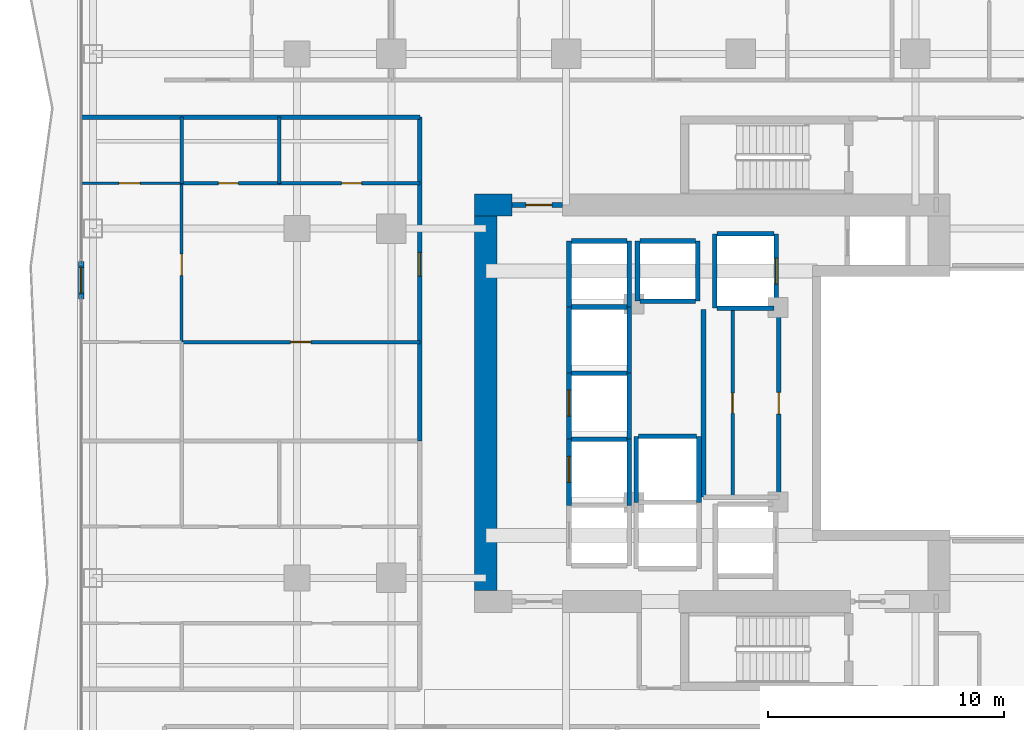
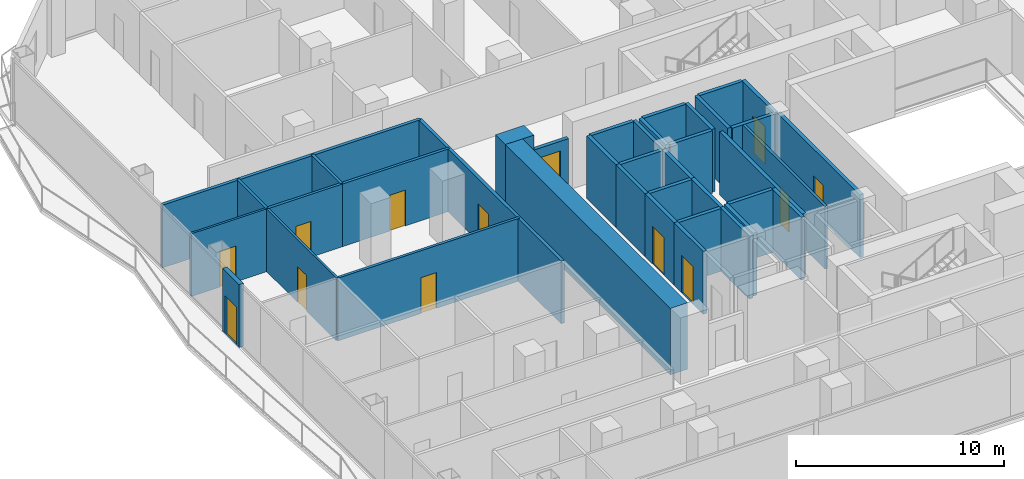
# One storey, part 20 of 27: 39 walls, 13 doors, 13 openings.
"""IFC4 building model written with IfcOpenShell, lengths in metres."""

from ifc_helpers import new_model, si_unit, direction, frame, frame_2d, origin, place, context, subcontext, project, spatial, rectangle, extrude, material, layer, layer_set, type_object, element, fill, save


model = new_model("IFC4")

# Units and contexts
model_context = context("Model", 3, precision=1e-05, world=origin(), true_north=direction((0.0, 1.0)))
body_context = subcontext(model_context, "Body", "Model", "MODEL_VIEW")
ifc_project = project(units=[si_unit("LENGTHUNIT", "METRE"), si_unit("AREAUNIT", "SQUARE_METRE"), si_unit("VOLUMEUNIT", "CUBIC_METRE"), si_unit("PLANEANGLEUNIT", "RADIAN"), si_unit("MASSUNIT", "GRAM", prefix="KILO")], contexts=[model_context])

# Site, building, storey
site_placement = place(None, origin())
site = spatial("IfcSite", under=ifc_project, at=site_placement, CompositionType="ELEMENT")
building_placement = place(site_placement, origin())
building = spatial("IfcBuilding", under=site, at=building_placement, Name="Khorvyn Point Tower", CompositionType="ELEMENT")
storey_placement = place(building_placement, frame((0.0, 0.0, 96.89990234375)))
storey = spatial("IfcBuildingStorey", under=building, at=storey_placement, Name="L24", CompositionType="ELEMENT", Elevation=96.89990234375)

# Wall, opening, door
ifc_material_1 = material(Name="Double acoustic gypsum on twin steel stud", Category="steel")
ifc_layer_1 = layer(ifc_material_1, 0.179931640625)
ifc_layer_set_1 = layer_set([ifc_layer_1], Name="Acoustic Double-Stud Apartment Demising Wall 180")
wall_type_1 = type_object("IfcWallType", Name="Acoustic Double-Stud Apartment Demising Wall 180", PredefinedType="PARTITIONING", material=ifc_layer_set_1)
wall_1_placement = place(storey_placement, frame((-13.60009765625, -1.60009765625, 0.0), z_axis=(0.0, 0.0, 1.0), x_axis=(0.0, 1.0, 0.0)))
wall_1 = element("IfcWall", 1, at=wall_1_placement, inside=storey, type_object=wall_type_1, Name="Wall", PredefinedType="PARTITIONING", context=body_context, shape_type="SweptSolid", body=[
    extrude(rectangle(XDim=13.72021484375, YDim=0.179931640625, at=frame_2d((6.860107421875, 0.0))), origin(), (0.0, 0.0, 1.0), 3.68017578125),
])
opening_1_placement = place(wall_1_placement, frame((6.989013671875, 0.0, 0.0)))
opening_1 = element("IfcOpeningElement", 2, at=opening_1_placement, cuts=wall_1, Name="Opening ID-AP60", PredefinedType="OPENING", context=body_context, shape_type="SweptSolid", body=[
    extrude(rectangle(XDim=1.0, YDim=2.199951171875, at=frame_2d((0.5, 1.10009765625))), frame((0.0, 0.099853515625, 0.0), z_axis=(0.0, -1.0, 0.0), x_axis=(1.0, 0.0, 0.0)), (0.0, 0.0, 1.0), 0.199951171875),
])
ifc_material_2 = material(Name="Engineered hardwood fire-rated leaf", Category="wood")
door_type_1 = type_object("IfcDoorType", Name="Acoustic Solid-Core Timber Apartment Entrance Door 1000x2200", OperationType="NOTDEFINED", PredefinedType="DOOR", material=ifc_material_2)
door_1_placement = place(opening_1_placement, origin())
door_1 = element("IfcDoor", 3, at=door_1_placement, inside=storey, type_object=door_type_1, Name="Door", OperationType="SINGLE_SWING_RIGHT", OverallHeight=2.199951171875, OverallWidth=1.0, PredefinedType="DOOR", context=body_context, shape_type="SweptSolid", body=[
    extrude(rectangle(XDim=1.0, YDim=2.199951171875, at=frame_2d((0.5, 1.10009765625))), frame((0.0, 0.02490234375, 0.0), z_axis=(0.0, -1.0, 0.0), x_axis=(1.0, 0.0, 0.0)), (0.0, 0.0, 1.0), 0.050048828125),
])
fill(opening_1, door_1)

# Wall
wall_2_placement = place(storey_placement, frame((-27.929931640625, 12.1201171875, 0.0), z_axis=(0.0, 0.0, 1.0), x_axis=(1.0, 0.0, 0.0)))
element("IfcWall", 4, at=wall_2_placement, inside=storey, type_object=wall_type_1, Name="Wall", PredefinedType="PARTITIONING", context=body_context, shape_type="SweptSolid", body=[
    extrude(rectangle(XDim=14.329833984375, YDim=0.179931640625, at=frame_2d((7.1650390625, 0.0))), origin(), (0.0, 0.0, 1.0), 3.68017578125),
])

# Wall, opening, door
ifc_material_3 = material(Name="Pale anodised aluminium rainscreen on steel stud", Category="steel")
ifc_layer_2 = layer(ifc_material_3, 0.239990234375)
ifc_layer_set_2 = layer_set([ifc_layer_2], Name="Anodised Aluminium Insulated Corner Spandrel Wall 240")
wall_type_2 = type_object("IfcWallType", Name="Anodised Aluminium Insulated Corner Spandrel Wall 240", PredefinedType="SOLIDWALL", material=ifc_layer_set_2)
wall_3_placement = place(storey_placement, frame((-27.949951171875, 4.419921875, 0.0), z_axis=(0.0, 0.0, 1.0), x_axis=(0.0, 1.0, 0.0)))
wall_3 = element("IfcWall", 5, at=wall_3_placement, inside=storey, type_object=wall_type_2, Name="L24 West Outdoor Threshold Wall", PredefinedType="SOLIDWALL", context=body_context, shape_type="SweptSolid", body=[
    extrude(rectangle(XDim=1.580078125, YDim=0.239990234375, at=frame_2d((0.7900390625, 0.0))), origin(), (0.0, 0.0, 1.0), 3.68017578125),
])
opening_2_placement = place(wall_3_placement, frame((0.239990234375, 0.0, 0.0)))
opening_2 = element("IfcOpeningElement", 6, at=opening_2_placement, cuts=wall_3, Name="Opening BD-1122", PredefinedType="OPENING", context=body_context, shape_type="SweptSolid", body=[
    extrude(rectangle(XDim=1.10009765625, YDim=2.199951171875, at=frame_2d((0.550048828125, 1.10009765625))), frame((0.0, 0.1298828125, 0.0), z_axis=(0.0, -1.0, 0.0), x_axis=(1.0, 0.0, 0.0)), (0.0, 0.0, 1.0), 0.260009765625),
])
ifc_material_4 = material(Name="Anodised aluminium 6063-T6 and laminated Low-E glass", Category="aluminium")
door_type_2 = type_object("IfcDoorType", Name="Glazed Balcony and Terrace Threshold Door 1100x2200", OperationType="NOTDEFINED", PredefinedType="DOOR", material=ifc_material_4)
door_2_placement = place(opening_2_placement, origin())
door_2 = element("IfcDoor", 7, at=door_2_placement, inside=storey, type_object=door_type_2, Name="L24 West Glazed Balcony Outdoor Door", OperationType="SINGLE_SWING_LEFT", OverallHeight=2.199951171875, OverallWidth=1.10009765625, PredefinedType="DOOR", context=body_context, shape_type="SweptSolid", body=[
    extrude(rectangle(XDim=1.10009765625, YDim=2.199951171875, at=frame_2d((0.550048828125, 1.10009765625))), frame((0.0, 0.02490234375, 0.0), z_axis=(0.0, -1.0, 0.0), x_axis=(1.0, 0.0, 0.0)), (0.0, 0.0, 1.0), 0.050048828125),
])
fill(opening_2, door_2)

ifc_material_5 = material(Name="Concrete C40/50", Category="concrete")
ifc_layer_3 = layer(ifc_material_5, 0.199951171875)
ifc_layer_set_3 = layer_set([ifc_layer_3], Name="Concrete C40/50 Fire-Lobby Compartment Wall 200")
wall_type_3 = type_object("IfcWallType", Name="Concrete C40/50 Fire-Lobby Compartment Wall 200", PredefinedType="SOLIDWALL", material=ifc_layer_set_3)
wall_4_placement = place(storey_placement, frame((-9.699951171875, 8.39990234375, 0.0), z_axis=(0.0, 0.0, 1.0), x_axis=(1.0, 0.0, 0.0)))
wall_4 = element("IfcWall", 8, at=wall_4_placement, inside=storey, type_object=wall_type_3, Name="Wall", PredefinedType="SOLIDWALL", context=body_context, shape_type="SweptSolid", body=[
    extrude(rectangle(XDim=2.14990234375, YDim=0.199951171875, at=frame_2d((1.074951171875, 0.0))), origin(), (0.0, 0.0, 1.0), 2.72021484375),
])
opening_3_placement = place(wall_4_placement, frame((0.597900390625, 0.0, 0.0)))
opening_3 = element("IfcOpeningElement", 9, at=opening_3_placement, cuts=wall_4, Name="Opening ID-FL90", PredefinedType="OPENING", context=body_context, shape_type="SweptSolid", body=[
    extrude(rectangle(XDim=1.10009765625, YDim=2.14990234375, at=frame_2d((0.550048828125, 1.074951171875))), frame((0.0, 0.10986328125, 0.0), z_axis=(0.0, -1.0, 0.0), x_axis=(1.0, 0.0, 0.0)), (0.0, 0.0, 1.0), 0.219970703125),
])
ifc_material_6 = material(Name="Galvanised powder-coated steel", Category="steel")
door_type_3 = type_object("IfcDoorType", Name="Fire-Rated Steel Lobby and Stair Door 1100x2150", OperationType="NOTDEFINED", PredefinedType="DOOR", material=ifc_material_6)
door_3_placement = place(opening_3_placement, origin())
door_3 = element("IfcDoor", 10, at=door_3_placement, inside=storey, type_object=door_type_3, Name="Door", OperationType="SINGLE_SWING_RIGHT", OverallHeight=2.14990234375, OverallWidth=1.10009765625, PredefinedType="DOOR", context=body_context, shape_type="SweptSolid", body=[
    extrude(rectangle(XDim=1.10009765625, YDim=2.14990234375, at=frame_2d((0.550048828125, 1.074951171875))), frame((0.0, 0.02490234375, 0.0), z_axis=(0.0, -1.0, 0.0), x_axis=(1.0, 0.0, 0.0)), (0.0, 0.0, 1.0), 0.050048828125),
])
fill(opening_3, door_3)

wall_5_placement = place(storey_placement, frame((1.610107421875, -3.97998046875, 0.0), z_axis=(0.0, 0.0, 1.0), x_axis=(0.0, 1.0, 0.0)))
wall_5 = element("IfcWall", 11, at=wall_5_placement, inside=storey, type_object=wall_type_3, Name="Wall", PredefinedType="SOLIDWALL", context=body_context, shape_type="SweptSolid", body=[
    extrude(rectangle(XDim=7.9599609375, YDim=0.199951171875, at=frame_2d((3.97998046875, 0.0))), origin(), (0.0, 0.0, 1.0), 3.68017578125),
])
opening_4_placement = place(wall_5_placement, frame((3.52001953125, 0.0, 0.0)))
opening_4 = element("IfcOpeningElement", 12, at=opening_4_placement, cuts=wall_5, Name="Opening ID-RS60", PredefinedType="OPENING", context=body_context, shape_type="SweptSolid", body=[
    extrude(rectangle(XDim=0.919921875, YDim=2.10009765625, at=frame_2d((0.4599609375, 1.050048828125))), frame((0.0, 0.10986328125, 0.0), z_axis=(0.0, -1.0, 0.0), x_axis=(1.0, 0.0, 0.0)), (0.0, 0.0, 1.0), 0.219970703125),
])
door_type_4 = type_object("IfcDoorType", Name="Fire-Rated Riser and Store Steel Door 920x2100", OperationType="NOTDEFINED", PredefinedType="DOOR", material=ifc_material_6)
door_4_placement = place(opening_4_placement, origin())
door_4 = element("IfcDoor", 13, at=door_4_placement, inside=storey, type_object=door_type_4, Name="Door", OperationType="SINGLE_SWING_LEFT", OverallHeight=2.10009765625, OverallWidth=0.919921875, PredefinedType="DOOR", context=body_context, shape_type="SweptSolid", body=[
    extrude(rectangle(XDim=0.919921875, YDim=2.10009765625, at=frame_2d((0.4599609375, 1.050048828125))), frame((0.0, 0.02490234375, 0.0), z_axis=(0.0, -1.0, 0.0), x_axis=(1.0, 0.0, 0.0)), (0.0, 0.0, 1.0), 0.050048828125),
])
fill(opening_4, door_4)

# Wall
wall_6_placement = place(storey_placement, frame((-1.580078125, -3.97998046875, 0.0), z_axis=(0.0, 0.0, 1.0), x_axis=(0.0, 1.0, 0.0)))
element("IfcWall", 14, at=wall_6_placement, inside=storey, type_object=wall_type_3, Name="Wall", PredefinedType="SOLIDWALL", context=body_context, shape_type="SweptSolid", body=[
    extrude(rectangle(XDim=7.9599609375, YDim=0.199951171875, at=frame_2d((3.97998046875, 0.0))), origin(), (0.0, 0.0, 1.0), 3.68017578125),
])

# Wall, opening, door
ifc_layer_4 = layer(ifc_material_5, 0.199951171875)
ifc_layer_set_4 = layer_set([ifc_layer_4], Name="Concrete C40/50 Structural Hoistway and Stair Shaft Wall 200")
wall_type_4 = type_object("IfcWallType", Name="Concrete C40/50 Structural Hoistway and Stair Shaft Wall 200", PredefinedType="SHEAR", material=ifc_layer_set_4)
wall_7_placement = place(storey_placement, frame((-7.27490234375, -4.324951171875, 0.0), z_axis=(0.0, 0.0, 1.0), x_axis=(0.0, 1.0, 0.0)))
wall_7 = element("IfcWall", 15, at=wall_7_placement, inside=storey, type_object=wall_type_4, Name="Wall", PredefinedType="SHEAR", context=body_context, shape_type="SweptSolid", body=[
    extrude(rectangle(XDim=2.800048828125, YDim=0.199951171875, at=frame_2d((1.39990234375, 0.0))), origin(), (0.0, 0.0, 1.0), 3.68017578125),
])
opening_5_placement = place(wall_7_placement, frame((0.97509765625, 0.0, 0.0)))
opening_5 = element("IfcOpeningElement", 16, at=opening_5_placement, cuts=wall_7, Name="Opening LD-1122", PredefinedType="OPENING", context=body_context, shape_type="SweptSolid", body=[
    extrude(rectangle(XDim=1.10009765625, YDim=2.199951171875, at=frame_2d((0.550048828125, 1.10009765625))), frame((0.0, 0.10986328125, 0.0), z_axis=(0.0, -1.0, 0.0), x_axis=(1.0, 0.0, 0.0)), (0.0, 0.0, 1.0), 0.219970703125),
])
ifc_material_7 = material(Name="Stainless steel 1.4301", Category="steel")
door_type_5 = type_object("IfcDoorType", Name="Stainless Steel Automatic Sliding Lift Landing Door 1100x2200", OperationType="SLIDING_TO_LEFT", PredefinedType="DOOR", material=ifc_material_7)
door_5_placement = place(opening_5_placement, origin())
door_5 = element("IfcDoor", 17, at=door_5_placement, inside=storey, type_object=door_type_5, Name="L24 RL-02 Sliding Lift Landing Door", OperationType="SLIDING_TO_LEFT", OverallHeight=2.199951171875, OverallWidth=1.10009765625, PredefinedType="DOOR", context=body_context, shape_type="SweptSolid", body=[
    extrude(rectangle(XDim=1.10009765625, YDim=2.199951171875, at=frame_2d((0.550048828125, 1.10009765625))), frame((0.0, 0.02490234375, 0.0), z_axis=(0.0, -1.0, 0.0), x_axis=(1.0, 0.0, 0.0)), (0.0, 0.0, 1.0), 0.050048828125),
])
fill(opening_5, door_5)

# Walls
wall_8_placement = place(storey_placement, frame((-4.72509765625, -4.324951171875, 0.0), z_axis=(0.0, 0.0, 1.0), x_axis=(0.0, 1.0, 0.0)))
element("IfcWall", 18, at=wall_8_placement, inside=storey, type_object=wall_type_4, Name="Wall", PredefinedType="SHEAR", context=body_context, shape_type="SweptSolid", body=[
    extrude(rectangle(XDim=2.800048828125, YDim=0.199951171875, at=frame_2d((1.39990234375, 0.0))), origin(), (0.0, 0.0, 1.0), 3.68017578125),
])
wall_9_placement = place(storey_placement, frame((-7.175048828125, -1.52490234375, 0.0), z_axis=(0.0, 0.0, 1.0), x_axis=(1.0, 0.0, 0.0)))
element("IfcWall", 19, at=wall_9_placement, inside=storey, type_object=wall_type_4, Name="Wall", PredefinedType="SHEAR", context=body_context, shape_type="SweptSolid", body=[
    extrude(rectangle(XDim=2.35009765625, YDim=0.199951171875, at=frame_2d((1.175048828125, 0.0))), origin(), (0.0, 0.0, 1.0), 3.68017578125),
])

# Wall, opening, door
wall_10_placement = place(storey_placement, frame((-7.27490234375, -1.52490234375, 0.0), z_axis=(0.0, 0.0, 1.0), x_axis=(0.0, 1.0, 0.0)))
wall_10 = element("IfcWall", 20, at=wall_10_placement, inside=storey, type_object=wall_type_4, Name="Wall", PredefinedType="SHEAR", context=body_context, shape_type="SweptSolid", body=[
    extrude(rectangle(XDim=2.7998046875, YDim=0.199951171875, at=frame_2d((1.39990234375, 0.0))), origin(), (0.0, 0.0, 1.0), 3.68017578125),
])
opening_6_placement = place(wall_10_placement, frame((0.97509765625, 0.0, 0.0)))
opening_6 = element("IfcOpeningElement", 21, at=opening_6_placement, cuts=wall_10, Name="Opening LD-1122", PredefinedType="OPENING", context=body_context, shape_type="SweptSolid", body=[
    extrude(rectangle(XDim=1.10009765625, YDim=2.199951171875, at=frame_2d((0.550048828125, 1.10009765625))), frame((0.0, 0.10986328125, 0.0), z_axis=(0.0, -1.0, 0.0), x_axis=(1.0, 0.0, 0.0)), (0.0, 0.0, 1.0), 0.219970703125),
])
door_6_placement = place(opening_6_placement, origin())
door_6 = element("IfcDoor", 22, at=door_6_placement, inside=storey, type_object=door_type_5, Name="L24 RL-03 Sliding Lift Landing Door", OperationType="SLIDING_TO_LEFT", OverallHeight=2.199951171875, OverallWidth=1.10009765625, PredefinedType="DOOR", context=body_context, shape_type="SweptSolid", body=[
    extrude(rectangle(XDim=1.10009765625, YDim=2.199951171875, at=frame_2d((0.550048828125, 1.10009765625))), frame((0.0, 0.02490234375, 0.0), z_axis=(0.0, -1.0, 0.0), x_axis=(1.0, 0.0, 0.0)), (0.0, 0.0, 1.0), 0.050048828125),
])
fill(opening_6, door_6)

# Walls
wall_11_placement = place(storey_placement, frame((-4.72509765625, -1.52490234375, 0.0), z_axis=(0.0, 0.0, 1.0), x_axis=(0.0, 1.0, 0.0)))
element("IfcWall", 23, at=wall_11_placement, inside=storey, type_object=wall_type_4, Name="Wall", PredefinedType="SHEAR", context=body_context, shape_type="SweptSolid", body=[
    extrude(rectangle(XDim=2.7998046875, YDim=0.199951171875, at=frame_2d((1.39990234375, 0.0))), origin(), (0.0, 0.0, 1.0), 3.68017578125),
])
wall_12_placement = place(storey_placement, frame((-7.175048828125, 1.27490234375, 0.0), z_axis=(0.0, 0.0, 1.0), x_axis=(1.0, 0.0, 0.0)))
element("IfcWall", 24, at=wall_12_placement, inside=storey, type_object=wall_type_4, Name="Wall", PredefinedType="SHEAR", context=body_context, shape_type="SweptSolid", body=[
    extrude(rectangle(XDim=2.35009765625, YDim=0.199951171875, at=frame_2d((1.175048828125, 0.0))), origin(), (0.0, 0.0, 1.0), 3.68017578125),
])
for number, where, z_axis, x_axis, name in (
    (25, (-7.27490234375, 1.27490234375, 0.0), (0.0, 0.0, 1.0), (0.0, 1.0, 0.0), "Wall"),
    (26, (-4.72509765625, 1.27490234375, 0.0), (0.0, 0.0, 1.0), (0.0, 1.0, 0.0), "Wall"),
):
    element("IfcWall", number, at=place(storey_placement, frame(where, z_axis=z_axis, x_axis=x_axis)), inside=storey, type_object=wall_type_4, Name=name, PredefinedType="SHEAR", context=body_context, shape_type="SweptSolid", body=[
        extrude(rectangle(XDim=2.800048828125, YDim=0.199951171875, at=frame_2d((1.39990234375, 0.0))), origin(), (0.0, 0.0, 1.0), 3.68017578125),
    ])
wall_13_placement = place(storey_placement, frame((-7.175048828125, 4.074951171875, 0.0), z_axis=(0.0, 0.0, 1.0), x_axis=(1.0, 0.0, 0.0)))
element("IfcWall", 27, at=wall_13_placement, inside=storey, type_object=wall_type_4, Name="Wall", PredefinedType="SHEAR", context=body_context, shape_type="SweptSolid", body=[
    extrude(rectangle(XDim=2.35009765625, YDim=0.199951171875, at=frame_2d((1.175048828125, 0.0))), origin(), (0.0, 0.0, 1.0), 3.68017578125),
])
for number, where, z_axis, x_axis, name in (
    (28, (-7.27490234375, 4.074951171875, 0.0), (0.0, 0.0, 1.0), (0.0, 1.0, 0.0), "Wall"),
    (29, (-4.72509765625, 4.074951171875, 0.0), (0.0, 0.0, 1.0), (0.0, 1.0, 0.0), "Wall"),
):
    element("IfcWall", number, at=place(storey_placement, frame(where, z_axis=z_axis, x_axis=x_axis)), inside=storey, type_object=wall_type_4, Name=name, PredefinedType="SHEAR", context=body_context, shape_type="SweptSolid", body=[
        extrude(rectangle(XDim=2.800048828125, YDim=0.199951171875, at=frame_2d((1.39990234375, 0.0))), origin(), (0.0, 0.0, 1.0), 3.68017578125),
    ])
wall_14_placement = place(storey_placement, frame((-7.175048828125, 6.875, 0.0), z_axis=(0.0, 0.0, 1.0), x_axis=(1.0, 0.0, 0.0)))
element("IfcWall", 30, at=wall_14_placement, inside=storey, type_object=wall_type_4, Name="Wall", PredefinedType="SHEAR", context=body_context, shape_type="SweptSolid", body=[
    extrude(rectangle(XDim=2.35009765625, YDim=0.199951171875, at=frame_2d((1.175048828125, 0.0))), origin(), (0.0, 0.0, 1.0), 3.68017578125),
])
for number, where, z_axis, x_axis, name in (
    (31, (-4.375, 4.324951171875, 0.0), (0.0, 0.0, 1.0), (0.0, 1.0, 0.0), "Wall"),
    (32, (-1.824951171875, 4.324951171875, 0.0), (0.0, 0.0, 1.0), (0.0, 1.0, 0.0), "Wall"),
):
    element("IfcWall", number, at=place(storey_placement, frame(where, z_axis=z_axis, x_axis=x_axis)), inside=storey, type_object=wall_type_4, Name=name, PredefinedType="SHEAR", context=body_context, shape_type="SweptSolid", body=[
        extrude(rectangle(XDim=2.550048828125, YDim=0.199951171875, at=frame_2d((1.27490234375, 0.0))), origin(), (0.0, 0.0, 1.0), 3.68017578125),
    ])
for number, where, z_axis, x_axis, name in (
    (33, (-4.27490234375, 4.324951171875, 0.0), (0.0, 0.0, 1.0), (1.0, 0.0, 0.0), "Wall"),
    (34, (-4.27490234375, 6.875, 0.0), (0.0, 0.0, 1.0), (1.0, 0.0, 0.0), "Wall"),
):
    element("IfcWall", number, at=place(storey_placement, frame(where, z_axis=z_axis, x_axis=x_axis)), inside=storey, type_object=wall_type_4, Name=name, PredefinedType="SHEAR", context=body_context, shape_type="SweptSolid", body=[
        extrude(rectangle(XDim=2.349853515625, YDim=0.199951171875, at=frame_2d((1.1748046875, 0.0))), origin(), (0.0, 0.0, 1.0), 3.68017578125),
    ])
for number, where, z_axis, x_axis, name in (
    (35, (-4.425048828125, -4.199951171875, 0.0), (0.0, 0.0, 1.0), (0.0, 1.0, 0.0), "Wall"),
    (36, (-1.77490234375, -4.199951171875, 0.0), (0.0, 0.0, 1.0), (0.0, 1.0, 0.0), "Wall"),
):
    element("IfcWall", number, at=place(storey_placement, frame(where, z_axis=z_axis, x_axis=x_axis)), inside=storey, type_object=wall_type_4, Name=name, PredefinedType="SHEAR", context=body_context, shape_type="SweptSolid", body=[
        extrude(rectangle(XDim=2.800048828125, YDim=0.199951171875, at=frame_2d((1.39990234375, 0.0))), origin(), (0.0, 0.0, 1.0), 3.68017578125),
    ])
wall_15_placement = place(storey_placement, frame((-4.324951171875, -1.39990234375, 0.0), z_axis=(0.0, 0.0, 1.0), x_axis=(1.0, 0.0, 0.0)))
element("IfcWall", 37, at=wall_15_placement, inside=storey, type_object=wall_type_4, Name="Wall", PredefinedType="SHEAR", context=body_context, shape_type="SweptSolid", body=[
    extrude(rectangle(XDim=2.449951171875, YDim=0.199951171875, at=frame_2d((1.22509765625, 0.0))), origin(), (0.0, 0.0, 1.0), 3.68017578125),
])
wall_16_placement = place(storey_placement, frame((-1.10009765625, 4.02490234375, 0.0), z_axis=(0.0, 0.0, 1.0), x_axis=(0.0, 1.0, 0.0)))
element("IfcWall", 38, at=wall_16_placement, inside=storey, type_object=wall_type_4, Name="Wall", PredefinedType="SHEAR", context=body_context, shape_type="SweptSolid", body=[
    extrude(rectangle(XDim=3.150146484375, YDim=0.199951171875, at=frame_2d((1.5751953125, 0.0))), origin(), (0.0, 0.0, 1.0), 3.68017578125),
])

# Wall, opening, door
wall_17_placement = place(storey_placement, frame((1.5, 4.02490234375, 0.0), z_axis=(0.0, 0.0, 1.0), x_axis=(0.0, 1.0, 0.0)))
wall_17 = element("IfcWall", 39, at=wall_17_placement, inside=storey, type_object=wall_type_4, Name="Wall", PredefinedType="SHEAR", context=body_context, shape_type="SweptSolid", body=[
    extrude(rectangle(XDim=3.150146484375, YDim=0.199951171875, at=frame_2d((1.5751953125, 0.0))), origin(), (0.0, 0.0, 1.0), 3.68017578125),
])
opening_7_placement = place(wall_17_placement, frame((1.02490234375, 0.0, 0.0)))
opening_7 = element("IfcOpeningElement", 40, at=opening_7_placement, cuts=wall_17, Name="Opening LD-1122", PredefinedType="OPENING", context=body_context, shape_type="SweptSolid", body=[
    extrude(rectangle(XDim=1.10009765625, YDim=2.199951171875, at=frame_2d((0.550048828125, 1.10009765625))), frame((0.0, 0.10986328125, 0.0), z_axis=(0.0, -1.0, 0.0), x_axis=(1.0, 0.0, 0.0)), (0.0, 0.0, 1.0), 0.219970703125),
])
door_7_placement = place(opening_7_placement, origin())
door_7 = element("IfcDoor", 41, at=door_7_placement, inside=storey, type_object=door_type_5, Name="L24 SV-01 Sliding Lift Landing Door", OperationType="SLIDING_TO_LEFT", OverallHeight=2.199951171875, OverallWidth=1.10009765625, PredefinedType="DOOR", context=body_context, shape_type="SweptSolid", body=[
    extrude(rectangle(XDim=1.10009765625, YDim=2.199951171875, at=frame_2d((0.550048828125, 1.10009765625))), frame((0.0, 0.02490234375, 0.0), z_axis=(0.0, -1.0, 0.0), x_axis=(1.0, 0.0, 0.0)), (0.0, 0.0, 1.0), 0.050048828125),
])
fill(opening_7, door_7)

# Walls
for number, where, z_axis, x_axis, name in (
    (42, (-1.0, 4.02490234375, 0.0), (0.0, 0.0, 1.0), (1.0, 0.0, 0.0), "Wall"),
    (43, (-1.0, 7.175048828125, 0.0), (0.0, 0.0, 1.0), (1.0, 0.0, 0.0), "Wall"),
):
    element("IfcWall", number, at=place(storey_placement, frame(where, z_axis=z_axis, x_axis=x_axis)), inside=storey, type_object=wall_type_4, Name=name, PredefinedType="SHEAR", context=body_context, shape_type="SweptSolid", body=[
        extrude(rectangle(XDim=2.39990234375, YDim=0.199951171875, at=frame_2d((1.199951171875, 0.0))), origin(), (0.0, 0.0, 1.0), 3.68017578125),
    ])
ifc_material_8 = material(Name="Concrete C50/60", Category="concrete")
ifc_layer_5 = layer(ifc_material_8, 0.949951171875)
ifc_layer_set_5 = layer_set([ifc_layer_5], Name="Concrete C50/60 Core Shear Wall 950")
wall_type_5 = type_object("IfcWallType", Name="Concrete C50/60 Core Shear Wall 950", PredefinedType="SHEAR", material=ifc_layer_set_5)
wall_18_placement = place(storey_placement, frame((-11.27490234375, 8.39990234375, 0.0), z_axis=(0.0, 0.0, 1.0), x_axis=(1.0, 0.0, 0.0)))
element("IfcWall", 44, at=wall_18_placement, inside=storey, type_object=wall_type_5, Name="Wall", PredefinedType="SHEAR", context=body_context, shape_type="SweptSolid", body=[
    extrude(rectangle(XDim=1.574951171875, YDim=0.949951171875, at=frame_2d((0.78759765625, 0.0))), origin(), (0.0, 0.0, 1.0), 3.900146484375),
])
wall_19_placement = place(storey_placement, frame((-10.800048828125, -7.925048828125, 0.0), z_axis=(0.0, 0.0, 1.0), x_axis=(0.0, 1.0, 0.0)))
element("IfcWall", 45, at=wall_19_placement, inside=storey, type_object=wall_type_5, Name="Wall", PredefinedType="SHEAR", context=body_context, shape_type="SweptSolid", body=[
    extrude(rectangle(XDim=15.85009765625, YDim=0.949951171875, at=frame_2d((7.925048828125, 0.0))), origin(), (0.0, 0.0, 1.0), 3.900146484375),
])

# Wall, opening, door
ifc_material_9 = material(Name="Gypsum plasterboard on steel stud", Category="steel")
ifc_layer_6 = layer(ifc_material_9, 0.1201171875)
ifc_layer_set_6 = layer_set([ifc_layer_6], Name="Gypsum Acoustic Stud Room Partition Wall 120")
wall_type_6 = type_object("IfcWallType", Name="Gypsum Acoustic Stud Room Partition Wall 120", PredefinedType="PARTITIONING", material=ifc_layer_set_6)
wall_20_placement = place(storey_placement, frame((-23.68994140625, 2.591064453125, 0.0), z_axis=(0.0, 0.0, 1.0), x_axis=(0.0, 1.0, 0.0)))
wall_20 = element("IfcWall", 46, at=wall_20_placement, inside=storey, type_object=wall_type_6, Name="Wall", PredefinedType="PARTITIONING", context=body_context, shape_type="SweptSolid", body=[
    extrude(rectangle(XDim=6.72900390625, YDim=0.1201171875, at=frame_2d((3.364501953125, 0.0))), origin(), (0.0, 0.0, 1.0), 3.68017578125),
])
opening_8_placement = place(wall_20_placement, frame((2.82568359375, 0.0, 0.0)))
opening_8 = element("IfcOpeningElement", 47, at=opening_8_placement, cuts=wall_20, Name="Opening ID-RM90", PredefinedType="OPENING", context=body_context, shape_type="SweptSolid", body=[
    extrude(rectangle(XDim=0.89990234375, YDim=2.10009765625, at=frame_2d((0.449951171875, 1.050048828125))), frame((0.0, 0.070068359375, 0.0), z_axis=(0.0, -1.0, 0.0), x_axis=(1.0, 0.0, 0.0)), (0.0, 0.0, 1.0), 0.14013671875),
])
ifc_material_10 = material(Name="Engineered oak veneer timber", Category="wood")
door_type_6 = type_object("IfcDoorType", Name="Flush Engineered Timber Room Door 900x2100", OperationType="NOTDEFINED", PredefinedType="DOOR", material=ifc_material_10)
door_8_placement = place(opening_8_placement, origin())
door_8 = element("IfcDoor", 48, at=door_8_placement, inside=storey, type_object=door_type_6, Name="Door", OperationType="SINGLE_SWING_LEFT", OverallHeight=2.10009765625, OverallWidth=0.89990234375, PredefinedType="DOOR", context=body_context, shape_type="SweptSolid", body=[
    extrude(rectangle(XDim=0.89990234375, YDim=2.10009765625, at=frame_2d((0.449951171875, 1.050048828125))), frame((0.0, 0.02490234375, 0.0), z_axis=(0.0, -1.0, 0.0), x_axis=(1.0, 0.0, 0.0)), (0.0, 0.0, 1.0), 0.050048828125),
])
fill(opening_8, door_8)

wall_21_placement = place(storey_placement, frame((-27.929931640625, 9.320068359375, 0.0), z_axis=(0.0, 0.0, 1.0), x_axis=(1.0, 0.0, 0.0)))
wall_21 = element("IfcWall", 49, at=wall_21_placement, inside=storey, type_object=wall_type_6, Name="Wall", PredefinedType="PARTITIONING", context=body_context, shape_type="SweptSolid", body=[
    extrude(rectangle(XDim=4.239990234375, YDim=0.1201171875, at=frame_2d((2.1201171875, 0.0))), origin(), (0.0, 0.0, 1.0), 3.68017578125),
])
opening_9_placement = place(wall_21_placement, frame((1.581298828125, 0.0, 0.0)))
opening_9 = element("IfcOpeningElement", 50, at=opening_9_placement, cuts=wall_21, Name="Opening ID-RM90", PredefinedType="OPENING", context=body_context, shape_type="SweptSolid", body=[
    extrude(rectangle(XDim=0.89990234375, YDim=2.10009765625, at=frame_2d((0.449951171875, 1.050048828125))), frame((0.0, 0.070068359375, 0.0), z_axis=(0.0, -1.0, 0.0), x_axis=(1.0, 0.0, 0.0)), (0.0, 0.0, 1.0), 0.14013671875),
])
door_9_placement = place(opening_9_placement, origin())
door_9 = element("IfcDoor", 51, at=door_9_placement, inside=storey, type_object=door_type_6, Name="Door", OperationType="SINGLE_SWING_RIGHT", OverallHeight=2.10009765625, OverallWidth=0.89990234375, PredefinedType="DOOR", context=body_context, shape_type="SweptSolid", body=[
    extrude(rectangle(XDim=0.89990234375, YDim=2.10009765625, at=frame_2d((0.449951171875, 1.050048828125))), frame((0.0, 0.02490234375, 0.0), z_axis=(0.0, -1.0, 0.0), x_axis=(1.0, 0.0, 0.0)), (0.0, 0.0, 1.0), 0.050048828125),
])
fill(opening_9, door_9)

ifc_material_11 = material(Name="Moisture-resistant gypsum and cement board", Category="gypsum")
ifc_layer_7 = layer(ifc_material_11, 0.14990234375)
ifc_layer_set_7 = layer_set([ifc_layer_7], Name="Moisture-Resistant Wet-Room Partition Wall 150")
wall_type_7 = type_object("IfcWallType", Name="Moisture-Resistant Wet-Room Partition Wall 150", PredefinedType="PARTITIONING", material=ifc_layer_set_7)
wall_22_placement = place(storey_placement, frame((-0.35009765625, -3.97998046875, 0.0), z_axis=(0.0, 0.0, 1.0), x_axis=(0.0, 1.0, 0.0)))
wall_22 = element("IfcWall", 52, at=wall_22_placement, inside=storey, type_object=wall_type_7, Name="Wall", PredefinedType="PARTITIONING", context=body_context, shape_type="SweptSolid", body=[
    extrude(rectangle(XDim=7.9599609375, YDim=0.14990234375, at=frame_2d((3.97998046875, 0.0))), origin(), (0.0, 0.0, 1.0), 3.68017578125),
])
opening_10_placement = place(wall_22_placement, frame((3.554931640625, 0.0, 0.0)))
opening_10 = element("IfcOpeningElement", 53, at=opening_10_placement, cuts=wall_22, Name="Opening ID-WC85", PredefinedType="OPENING", context=body_context, shape_type="SweptSolid", body=[
    extrude(rectangle(XDim=0.85009765625, YDim=2.10009765625, at=frame_2d((0.425048828125, 1.050048828125))), frame((0.0, 0.0849609375, 0.0), z_axis=(0.0, -1.0, 0.0), x_axis=(1.0, 0.0, 0.0)), (0.0, 0.0, 1.0), 0.169921875),
])
ifc_material_12 = material(Name="High-pressure laminate on moisture-resistant core", Category="wood")
door_type_7 = type_object("IfcDoorType", Name="Moisture-Resistant Accessible Washroom Door 850x2100", OperationType="NOTDEFINED", PredefinedType="DOOR", material=ifc_material_12)
door_10_placement = place(opening_10_placement, origin())
door_10 = element("IfcDoor", 54, at=door_10_placement, inside=storey, type_object=door_type_7, Name="Door", OperationType="SINGLE_SWING_RIGHT", OverallHeight=2.10009765625, OverallWidth=0.85009765625, PredefinedType="DOOR", context=body_context, shape_type="SweptSolid", body=[
    extrude(rectangle(XDim=0.85009765625, YDim=2.10009765625, at=frame_2d((0.425048828125, 1.050048828125))), frame((0.0, 0.02490234375, 0.0), z_axis=(0.0, -1.0, 0.0), x_axis=(1.0, 0.0, 0.0)), (0.0, 0.0, 1.0), 0.050048828125),
])
fill(opening_10, door_10)

wall_23_placement = place(storey_placement, frame((-23.68994140625, 9.320068359375, 0.0), z_axis=(0.0, 0.0, 1.0), x_axis=(1.0, 0.0, 0.0)))
wall_23 = element("IfcWall", 55, at=wall_23_placement, inside=storey, type_object=wall_type_7, Name="Wall", PredefinedType="PARTITIONING", context=body_context, shape_type="SweptSolid", body=[
    extrude(rectangle(XDim=4.136962890625, YDim=0.14990234375, at=frame_2d((2.068359375, 0.0))), origin(), (0.0, 0.0, 1.0), 3.68017578125),
])
opening_11_placement = place(wall_23_placement, frame((1.55615234375, 0.0, 0.0)))
opening_11 = element("IfcOpeningElement", 56, at=opening_11_placement, cuts=wall_23, Name="Opening ID-WC85", PredefinedType="OPENING", context=body_context, shape_type="SweptSolid", body=[
    extrude(rectangle(XDim=0.85009765625, YDim=2.10009765625, at=frame_2d((0.425048828125, 1.050048828125))), frame((0.0, 0.0849609375, 0.0), z_axis=(0.0, -1.0, 0.0), x_axis=(1.0, 0.0, 0.0)), (0.0, 0.0, 1.0), 0.169921875),
])
door_11_placement = place(opening_11_placement, origin())
door_11 = element("IfcDoor", 57, at=door_11_placement, inside=storey, type_object=door_type_7, Name="Door", OperationType="SINGLE_SWING_RIGHT", OverallHeight=2.10009765625, OverallWidth=0.85009765625, PredefinedType="DOOR", context=body_context, shape_type="SweptSolid", body=[
    extrude(rectangle(XDim=0.85009765625, YDim=2.10009765625, at=frame_2d((0.425048828125, 1.050048828125))), frame((0.0, 0.02490234375, 0.0), z_axis=(0.0, -1.0, 0.0), x_axis=(1.0, 0.0, 0.0)), (0.0, 0.0, 1.0), 0.050048828125),
])
fill(opening_11, door_11)

wall_24_placement = place(storey_placement, frame((-19.552978515625, 9.320068359375, 0.0), z_axis=(0.0, 0.0, 1.0), x_axis=(1.0, 0.0, 0.0)))
wall_24 = element("IfcWall", 58, at=wall_24_placement, inside=storey, type_object=wall_type_7, Name="Wall", PredefinedType="PARTITIONING", context=body_context, shape_type="SweptSolid", body=[
    extrude(rectangle(XDim=5.952880859375, YDim=0.14990234375, at=frame_2d((2.9765625, 0.0))), origin(), (0.0, 0.0, 1.0), 3.68017578125),
])
opening_12_placement = place(wall_24_placement, frame((2.64013671875, 0.0, 0.0)))
opening_12 = element("IfcOpeningElement", 59, at=opening_12_placement, cuts=wall_24, Name="Opening ID-WC85", PredefinedType="OPENING", context=body_context, shape_type="SweptSolid", body=[
    extrude(rectangle(XDim=0.85009765625, YDim=2.10009765625, at=frame_2d((0.425048828125, 1.050048828125))), frame((0.0, 0.0849609375, 0.0), z_axis=(0.0, -1.0, 0.0), x_axis=(1.0, 0.0, 0.0)), (0.0, 0.0, 1.0), 0.169921875),
])
door_12_placement = place(opening_12_placement, origin())
door_12 = element("IfcDoor", 60, at=door_12_placement, inside=storey, type_object=door_type_7, Name="Door", OperationType="SINGLE_SWING_LEFT", OverallHeight=2.10009765625, OverallWidth=0.85009765625, PredefinedType="DOOR", context=body_context, shape_type="SweptSolid", body=[
    extrude(rectangle(XDim=0.85009765625, YDim=2.10009765625, at=frame_2d((0.425048828125, 1.050048828125))), frame((0.0, 0.02490234375, 0.0), z_axis=(0.0, -1.0, 0.0), x_axis=(1.0, 0.0, 0.0)), (0.0, 0.0, 1.0), 0.050048828125),
])
fill(opening_12, door_12)

wall_25_placement = place(storey_placement, frame((-23.68994140625, 2.591064453125, 0.0), z_axis=(0.0, 0.0, 1.0), x_axis=(1.0, 0.0, 0.0)))
wall_25 = element("IfcWall", 61, at=wall_25_placement, inside=storey, type_object=wall_type_7, Name="Wall", PredefinedType="PARTITIONING", context=body_context, shape_type="SweptSolid", body=[
    extrude(rectangle(XDim=10.08984375, YDim=0.14990234375, at=frame_2d((5.044921875, 0.0))), origin(), (0.0, 0.0, 1.0), 3.68017578125),
])
opening_13_placement = place(wall_25_placement, frame((4.6201171875, 0.0, 0.0)))
opening_13 = element("IfcOpeningElement", 62, at=opening_13_placement, cuts=wall_25, Name="Opening ID-WC85", PredefinedType="OPENING", context=body_context, shape_type="SweptSolid", body=[
    extrude(rectangle(XDim=0.85009765625, YDim=2.10009765625, at=frame_2d((0.425048828125, 1.050048828125))), frame((0.0, 0.0849609375, 0.0), z_axis=(0.0, -1.0, 0.0), x_axis=(1.0, 0.0, 0.0)), (0.0, 0.0, 1.0), 0.169921875),
])
door_13_placement = place(opening_13_placement, origin())
door_13 = element("IfcDoor", 63, at=door_13_placement, inside=storey, type_object=door_type_7, Name="Door", OperationType="SINGLE_SWING_RIGHT", OverallHeight=2.10009765625, OverallWidth=0.85009765625, PredefinedType="DOOR", context=body_context, shape_type="SweptSolid", body=[
    extrude(rectangle(XDim=0.85009765625, YDim=2.10009765625, at=frame_2d((0.425048828125, 1.050048828125))), frame((0.0, 0.02490234375, 0.0), z_axis=(0.0, -1.0, 0.0), x_axis=(1.0, 0.0, 0.0)), (0.0, 0.0, 1.0), 0.050048828125),
])
fill(opening_13, door_13)

# Walls
for number, where, z_axis, x_axis, name in (
    (64, (-19.552978515625, 9.320068359375, 0.0), (0.0, 0.0, 1.0), (0.0, 1.0, 0.0), "Wall"),
    (65, (-23.68994140625, 9.320068359375, 0.0), (0.0, 0.0, 1.0), (0.0, 1.0, 0.0), "Wall"),
):
    element("IfcWall", number, at=place(storey_placement, frame(where, z_axis=z_axis, x_axis=x_axis)), inside=storey, type_object=wall_type_7, Name=name, PredefinedType="PARTITIONING", context=body_context, shape_type="SweptSolid", body=[
        extrude(rectangle(XDim=2.800048828125, YDim=0.14990234375, at=frame_2d((1.39990234375, 0.0))), origin(), (0.0, 0.0, 1.0), 3.68017578125),
    ])

save(model, "model.ifc")
